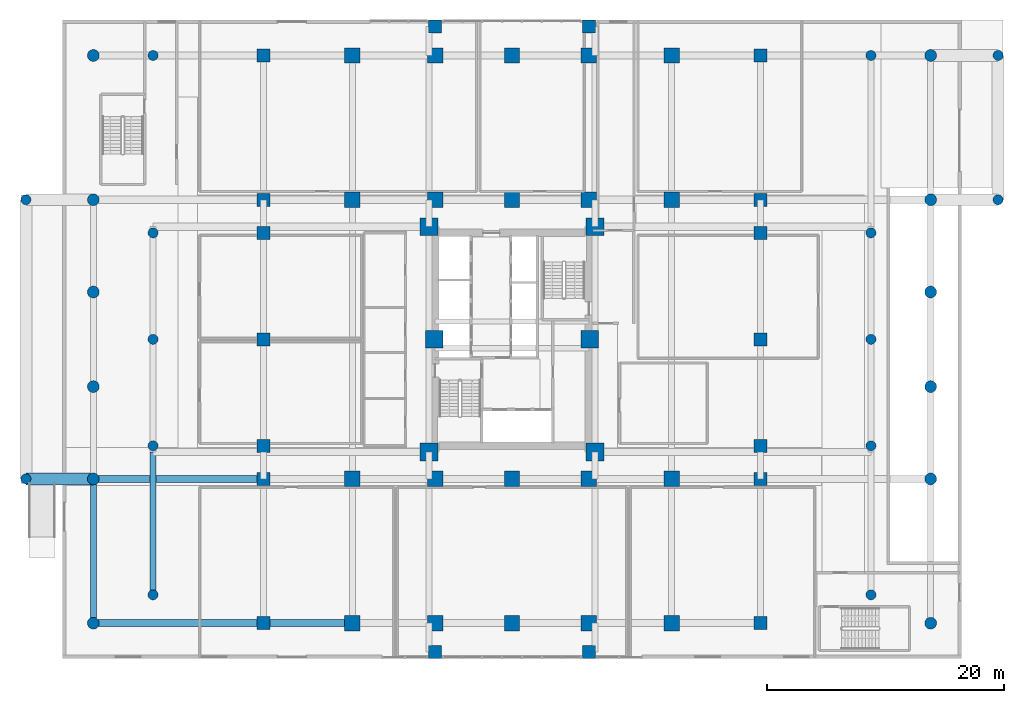
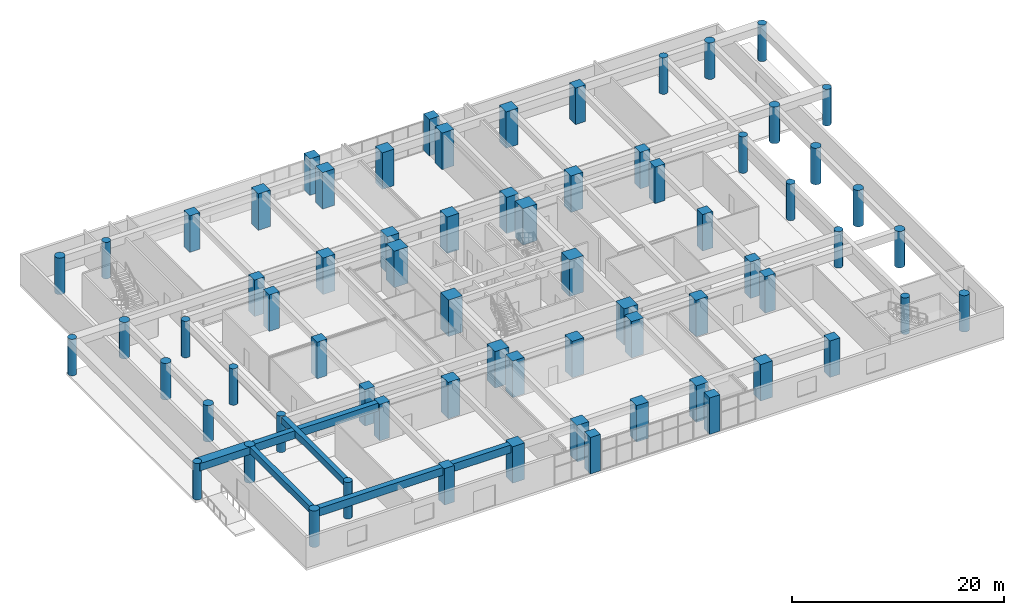
# One storey, part 1 of 24: 70 columns, 6 beams.
"""IFC4 building model written with IfcOpenShell, lengths in metres."""

from ifc_helpers import new_model, si_unit, direction, frame, origin, origin_2d, place, context, subcontext, project, spatial, rectangle, circle, extrude, source, transform, mapped, material, material_profile, profile_set, type_object, element, save


model = new_model("IFC4")

# Units and contexts
model_context = context("Model", 3, precision=1e-05, world=origin(), true_north=direction((0.0, 1.0)))
body_context = subcontext(model_context, "Body", "Model", "MODEL_VIEW")
ifc_project = project(units=[si_unit("LENGTHUNIT", "METRE"), si_unit("AREAUNIT", "SQUARE_METRE"), si_unit("VOLUMEUNIT", "CUBIC_METRE"), si_unit("PLANEANGLEUNIT", "RADIAN"), si_unit("MASSUNIT", "GRAM", prefix="KILO")], contexts=[model_context])

# Site, building, storey
site_placement = place(None, origin())
site = spatial("IfcSite", under=ifc_project, at=site_placement, CompositionType="ELEMENT")
building_placement = place(site_placement, origin())
building = spatial("IfcBuilding", under=site, at=building_placement, Name="Saelheon Loggia Tower", CompositionType="ELEMENT")
storey_placement = place(building_placement, origin())
storey = spatial("IfcBuildingStorey", under=building, at=storey_placement, Name="L00", CompositionType="ELEMENT", Elevation=0.0)

# Columns
ifc_material_1 = material(Name="Concrete C60/75", Category="concrete")
ifc_material_profile_1 = material_profile(ifc_material_1, rectangle(XDim=1.5, YDim=1.5, at=origin_2d()), Name="RC-1500x1500")
ifc_profile_set_1 = profile_set([ifc_material_profile_1], Name="Concrete C60/75")
column_type_1 = type_object("IfcColumnType", Name="Col_Core_RC1500", PredefinedType="COLUMN", material=ifc_profile_set_1)
shared_shape_1 = source(origin(), body_context, "Body", "SweptSolid", [
    extrude(rectangle(XDim=1.5, YDim=1.5, at=origin_2d()), origin(), (0.0, 0.0, 1.0), 4.199951171875),
])
for number, where, z_axis, x_axis, name in (
    (1, (30.97998046875, 17.47998046875, 0.0), (0.0, 0.0, 1.0), (1.0, 0.0, 0.0), "L00 Core Column CR-SW"),
    (2, (45.02001953125, 17.47998046875, 0.0), (0.0, 0.0, 1.0), (1.0, 0.0, 0.0), "L00 Core Column CR-SE"),
    (3, (30.97998046875, 36.52001953125, 0.0), (0.0, 0.0, 1.0), (1.0, 0.0, 0.0), "L00 Core Column CR-NW"),
    (4, (45.02001953125, 36.52001953125, 0.0), (0.0, 0.0, 1.0), (1.0, 0.0, 0.0), "L00 Core Column CR-NE"),
    (5, (31.419921875, 27.0, 0.0), (0.0, 0.0, 1.0), (1.0, 0.0, 0.0), "L00 Core Column CR-MW"),
    (6, (44.580078125, 27.0, 0.0), (0.0, 0.0, 1.0), (1.0, 0.0, 0.0), "L00 Core Column CR-ME"),
):
    element("IfcColumn", number, at=place(storey_placement, frame(where, z_axis=z_axis, x_axis=x_axis)), inside=storey, type_object=column_type_1, Name=name, PredefinedType="COLUMN", context=body_context, shape_type="MappedRepresentation", body=[
        mapped(shared_shape_1, transform((0.0, 0.0, 0.0), scale=1.0)),
    ])
ifc_material_2 = material(Name="Concrete C50/60", Category="concrete")
ifc_material_profile_2 = material_profile(ifc_material_2, circle(Radius=0.5, at=origin_2d()), Name="CIRC-1000")
ifc_profile_set_2 = profile_set([ifc_material_profile_2], Name="Concrete C50/60")
column_type_2 = type_object("IfcColumnType", Name="Col_Podium_CIRC1000", PredefinedType="COLUMN", material=ifc_profile_set_2)
shared_shape_2 = source(origin(), body_context, "Body", "SweptSolid", [
    extrude(circle(Radius=0.5, at=origin_2d()), origin(), (0.0, 0.0, 1.0), 4.199951171875),
])
for number, where, z_axis, x_axis, name in (
    (7, (2.60009765625, 3.0, 0.0), (0.0, 0.0, 1.0), (1.0, 0.0, 0.0), "L00 Podium Column PW1"),
    (8, (73.39990234375, 3.0, 0.0), (0.0, 0.0, 1.0), (1.0, 0.0, 0.0), "L00 Podium Column PE1"),
    (9, (2.60009765625, 15.199951171875, 0.0), (0.0, 0.0, 1.0), (1.0, 0.0, 0.0), "L00 Podium Column PW2"),
    (10, (73.39990234375, 15.199951171875, 0.0), (0.0, 0.0, 1.0), (1.0, 0.0, 0.0), "L00 Podium Column PE2"),
    (11, (2.60009765625, 23.0, 0.0), (0.0, 0.0, 1.0), (1.0, 0.0, 0.0), "L00 Podium Column PW3"),
    (12, (73.39990234375, 23.0, 0.0), (0.0, 0.0, 1.0), (1.0, 0.0, 0.0), "L00 Podium Column PE3"),
    (13, (2.60009765625, 31.0, 0.0), (0.0, 0.0, 1.0), (1.0, 0.0, 0.0), "L00 Podium Column PW4"),
    (14, (73.39990234375, 31.0, 0.0), (0.0, 0.0, 1.0), (1.0, 0.0, 0.0), "L00 Podium Column PE4"),
    (15, (2.60009765625, 38.800048828125, 0.0), (0.0, 0.0, 1.0), (1.0, 0.0, 0.0), "L00 Podium Column PW5"),
    (16, (73.39990234375, 38.800048828125, 0.0), (0.0, 0.0, 1.0), (1.0, 0.0, 0.0), "L00 Podium Column PE5"),
    (17, (2.60009765625, 51.0, 0.0), (0.0, 0.0, 1.0), (1.0, 0.0, 0.0), "L00 Podium Column PW6"),
    (18, (73.39990234375, 51.0, 0.0), (0.0, 0.0, 1.0), (1.0, 0.0, 0.0), "L00 Podium Column PE6"),
):
    element("IfcColumn", number, at=place(storey_placement, frame(where, z_axis=z_axis, x_axis=x_axis)), inside=storey, type_object=column_type_2, Name=name, PredefinedType="COLUMN", context=body_context, shape_type="MappedRepresentation", body=[
        mapped(shared_shape_2, transform((0.0, 0.0, 0.0), scale=1.0)),
    ])
ifc_material_3 = material(Name="Concrete C45/55", Category="concrete")
ifc_material_profile_3 = material_profile(ifc_material_3, circle(Radius=0.425048828125, at=origin_2d()), Name="CIRC-850")
ifc_profile_set_3 = profile_set([ifc_material_profile_3], Name="Concrete C45/55")
column_type_3 = type_object("IfcColumnType", Name="Col_Podium_CIRC850", PredefinedType="COLUMN", material=ifc_profile_set_3)
shared_shape_3 = source(origin(), body_context, "Body", "SweptSolid", [
    extrude(circle(Radius=0.425048828125, at=origin_2d()), origin(), (0.0, 0.0, 1.0), 4.199951171875),
])
for number, where, z_axis, x_axis, name in (
    (19, (7.64990234375, 5.39990234375, 0.0), (0.0, 0.0, 1.0), (1.0, 0.0, 0.0), "L00 Podium Column PMW1"),
    (20, (68.35009765625, 5.39990234375, 0.0), (0.0, 0.0, 1.0), (1.0, 0.0, 0.0), "L00 Podium Column PME1"),
    (21, (7.64990234375, 18.0, 0.0), (0.0, 0.0, 1.0), (1.0, 0.0, 0.0), "L00 Podium Column PMW2"),
    (22, (68.35009765625, 18.0, 0.0), (0.0, 0.0, 1.0), (1.0, 0.0, 0.0), "L00 Podium Column PME2"),
    (23, (7.64990234375, 27.0, 0.0), (0.0, 0.0, 1.0), (1.0, 0.0, 0.0), "L00 Podium Column PMW3"),
    (24, (68.35009765625, 27.0, 0.0), (0.0, 0.0, 1.0), (1.0, 0.0, 0.0), "L00 Podium Column PME3"),
    (25, (7.64990234375, 36.0, 0.0), (0.0, 0.0, 1.0), (1.0, 0.0, 0.0), "L00 Podium Column PMW4"),
    (26, (68.35009765625, 36.0, 0.0), (0.0, 0.0, 1.0), (1.0, 0.0, 0.0), "L00 Podium Column PME4"),
    (27, (7.64990234375, 51.0, 0.0), (0.0, 0.0, 1.0), (1.0, 0.0, 0.0), "L00 Podium Column PMW5"),
    (28, (68.35009765625, 51.0, 0.0), (0.0, 0.0, 1.0), (1.0, 0.0, 0.0), "L00 Podium Column PME5"),
):
    element("IfcColumn", number, at=place(storey_placement, frame(where, z_axis=z_axis, x_axis=x_axis)), inside=storey, type_object=column_type_3, Name=name, PredefinedType="COLUMN", context=body_context, shape_type="MappedRepresentation", body=[
        mapped(shared_shape_3, transform((0.0, 0.0, 0.0), scale=1.0)),
    ])
ifc_material_4 = material(Name="Precast Concrete C45/55", Category="concrete")
ifc_material_profile_4 = material_profile(ifc_material_4, circle(Radius=0.425048828125, at=origin_2d()), Name="CIRC-850")
ifc_profile_set_4 = profile_set([ifc_material_profile_4], Name="Precast Concrete C45/55")
column_type_4 = type_object("IfcColumnType", Name="Col_Portico_CIRC850", PredefinedType="COLUMN", material=ifc_profile_set_4)
for number, where, z_axis, x_axis, name in (
    (29, (-3.10009765625, 15.199951171875, 0.0), (0.0, 0.0, 1.0), (1.0, 0.0, 0.0), "L00 Portico Canopy Column PRTW1"),
    (30, (-3.10009765625, 38.800048828125, 0.0), (0.0, 0.0, 1.0), (1.0, 0.0, 0.0), "L00 Portico Canopy Column PRTW2"),
    (31, (79.10009765625, 38.800048828125, 0.0), (0.0, 0.0, 1.0), (1.0, 0.0, 0.0), "L00 Portico Canopy Column PRTE1"),
    (32, (79.10009765625, 51.0, 0.0), (0.0, 0.0, 1.0), (1.0, 0.0, 0.0), "L00 Portico Canopy Column PRTE2"),
):
    element("IfcColumn", number, at=place(storey_placement, frame(where, z_axis=z_axis, x_axis=x_axis)), inside=storey, type_object=column_type_4, Name=name, PredefinedType="COLUMN", context=body_context, shape_type="MappedRepresentation", body=[
        mapped(shared_shape_3, transform((0.0, 0.0, 0.0), scale=1.0)),
    ])
ifc_material_profile_5 = material_profile(ifc_material_2, rectangle(XDim=1.10009765625, YDim=1.10009765625, at=origin_2d()), Name="RC-1100x1100")
ifc_profile_set_5 = profile_set([ifc_material_profile_5], Name="Concrete C50/60")
column_type_5 = type_object("IfcColumnType", Name="Col_Perim_RC1100", PredefinedType="COLUMN", material=ifc_profile_set_5)
shared_shape_4 = source(origin(), body_context, "Body", "SweptSolid", [
    extrude(rectangle(XDim=1.10009765625, YDim=1.10009765625, at=origin_2d()), origin(), (0.0, 0.0, 1.0), 4.199951171875),
])
for number, where, z_axis, x_axis, name in (
    (33, (17.0, 3.0, 0.0), (0.0, 0.0, 1.0), (1.0, 0.0, 0.0), "L00 Podium Column PIW1"),
    (34, (59.0, 3.0, 0.0), (0.0, 0.0, 1.0), (1.0, 0.0, 0.0), "L00 Podium Column PIE1"),
    (35, (17.0, 15.199951171875, 0.0), (0.0, 0.0, 1.0), (1.0, 0.0, 0.0), "L00 Podium Column PIW2"),
    (36, (59.0, 15.199951171875, 0.0), (0.0, 0.0, 1.0), (1.0, 0.0, 0.0), "L00 Podium Column PIE2"),
    (37, (17.0, 18.0, 0.0), (0.0, 0.0, 1.0), (1.0, 0.0, 0.0), "L00 Podium Column PIW3"),
    (38, (59.0, 18.0, 0.0), (0.0, 0.0, 1.0), (1.0, 0.0, 0.0), "L00 Podium Column PIE3"),
    (39, (17.0, 27.0, 0.0), (0.0, 0.0, 1.0), (1.0, 0.0, 0.0), "L00 Podium Column PIW4"),
    (40, (59.0, 27.0, 0.0), (0.0, 0.0, 1.0), (1.0, 0.0, 0.0), "L00 Podium Column PIE4"),
    (41, (17.0, 36.0, 0.0), (0.0, 0.0, 1.0), (1.0, 0.0, 0.0), "L00 Podium Column PIW5"),
    (42, (59.0, 36.0, 0.0), (0.0, 0.0, 1.0), (1.0, 0.0, 0.0), "L00 Podium Column PIE5"),
    (43, (17.0, 38.800048828125, 0.0), (0.0, 0.0, 1.0), (1.0, 0.0, 0.0), "L00 Podium Column PIW6"),
    (44, (59.0, 38.800048828125, 0.0), (0.0, 0.0, 1.0), (1.0, 0.0, 0.0), "L00 Podium Column PIE6"),
    (45, (17.0, 51.0, 0.0), (0.0, 0.0, 1.0), (1.0, 0.0, 0.0), "L00 Podium Column PIW7"),
    (46, (59.0, 51.0, 0.0), (0.0, 0.0, 1.0), (1.0, 0.0, 0.0), "L00 Podium Column PIE7"),
):
    element("IfcColumn", number, at=place(storey_placement, frame(where, z_axis=z_axis, x_axis=x_axis)), inside=storey, type_object=column_type_5, Name=name, PredefinedType="COLUMN", context=body_context, shape_type="MappedRepresentation", body=[
        mapped(shared_shape_4, transform((0.0, 0.0, 0.0), scale=1.0)),
    ])
ifc_material_profile_6 = material_profile(ifc_material_2, rectangle(XDim=1.10009765625, YDim=1.10009765625, at=origin_2d()), Name="RC-1100x1100")
ifc_profile_set_6 = profile_set([ifc_material_profile_6], Name="Concrete C50/60")
column_type_6 = type_object("IfcColumnType", Name="Col_PerimExt_RC1100", PredefinedType="COLUMN", material=ifc_profile_set_6)
for number, where, z_axis, x_axis, name in (
    (47, (31.5, 0.550048828125, 0.0), (0.0, 0.0, 1.0), (1.0, 0.0, 0.0), "L00 Podium Column C31Y006"),
    (48, (31.5, 53.449951171875, 0.0), (0.0, 0.0, 1.0), (1.0, 0.0, 0.0), "L00 Podium Column C31Y534"),
    (49, (44.5, 0.550048828125, 0.0), (0.0, 0.0, 1.0), (1.0, 0.0, 0.0), "L00 Podium Column C44Y006"),
    (50, (44.5, 53.449951171875, 0.0), (0.0, 0.0, 1.0), (1.0, 0.0, 0.0), "L00 Podium Column C44Y534"),
):
    element("IfcColumn", number, at=place(storey_placement, frame(where, z_axis=z_axis, x_axis=x_axis)), inside=storey, type_object=column_type_6, Name=name, PredefinedType="COLUMN", context=body_context, shape_type="MappedRepresentation", body=[
        mapped(shared_shape_4, transform((0.0, 0.0, 0.0), scale=1.0)),
    ])
ifc_material_profile_7 = material_profile(ifc_material_1, rectangle(XDim=1.300048828125, YDim=1.300048828125, at=origin_2d()), Name="RC-1300x1300")
ifc_profile_set_7 = profile_set([ifc_material_profile_7], Name="Concrete C60/75")
column_type_7 = type_object("IfcColumnType", Name="Col_Perim_RC1300", PredefinedType="COLUMN", material=ifc_profile_set_7)
shared_shape_5 = source(origin(), body_context, "Body", "SweptSolid", [
    extrude(rectangle(XDim=1.300048828125, YDim=1.300048828125, at=origin_2d()), origin(), (0.0, 0.0, 1.0), 4.199951171875),
])
for number, where, z_axis, x_axis, name in (
    (51, (24.5, 3.0, 0.0), (0.0, 0.0, 1.0), (1.0, 0.0, 0.0), "L00 Podium Column C24Y030"),
    (52, (24.5, 15.199951171875, 0.0), (0.0, 0.0, 1.0), (1.0, 0.0, 0.0), "L00 Podium Column C24Y152"),
    (53, (24.5, 38.800048828125, 0.0), (0.0, 0.0, 1.0), (1.0, 0.0, 0.0), "L00 Podium Column C24Y388"),
    (54, (24.5, 51.0, 0.0), (0.0, 0.0, 1.0), (1.0, 0.0, 0.0), "L00 Podium Column C24Y510"),
    (55, (31.5, 3.0, 0.0), (0.0, 0.0, 1.0), (1.0, 0.0, 0.0), "L00 Podium Column C31Y030"),
    (56, (31.5, 15.199951171875, 0.0), (0.0, 0.0, 1.0), (1.0, 0.0, 0.0), "L00 Podium Column C31Y152"),
    (57, (31.5, 38.800048828125, 0.0), (0.0, 0.0, 1.0), (1.0, 0.0, 0.0), "L00 Podium Column C31Y388"),
    (58, (31.5, 51.0, 0.0), (0.0, 0.0, 1.0), (1.0, 0.0, 0.0), "L00 Podium Column C31Y510"),
    (59, (38.0, 3.0, 0.0), (0.0, 0.0, 1.0), (1.0, 0.0, 0.0), "L00 Podium Column C38Y030"),
    (60, (38.0, 15.199951171875, 0.0), (0.0, 0.0, 1.0), (1.0, 0.0, 0.0), "L00 Podium Column C38Y152"),
    (61, (38.0, 38.800048828125, 0.0), (0.0, 0.0, 1.0), (1.0, 0.0, 0.0), "L00 Podium Column C38Y388"),
    (62, (38.0, 51.0, 0.0), (0.0, 0.0, 1.0), (1.0, 0.0, 0.0), "L00 Podium Column C38Y510"),
    (63, (44.5, 3.0, 0.0), (0.0, 0.0, 1.0), (1.0, 0.0, 0.0), "L00 Podium Column C44Y030"),
    (64, (44.5, 15.199951171875, 0.0), (0.0, 0.0, 1.0), (1.0, 0.0, 0.0), "L00 Podium Column C44Y152"),
    (65, (44.5, 38.800048828125, 0.0), (0.0, 0.0, 1.0), (1.0, 0.0, 0.0), "L00 Podium Column C44Y388"),
    (66, (44.5, 51.0, 0.0), (0.0, 0.0, 1.0), (1.0, 0.0, 0.0), "L00 Podium Column C44Y510"),
    (67, (51.5, 3.0, 0.0), (0.0, 0.0, 1.0), (1.0, 0.0, 0.0), "L00 Podium Column C51Y030"),
    (68, (51.5, 15.199951171875, 0.0), (0.0, 0.0, 1.0), (1.0, 0.0, 0.0), "L00 Podium Column C51Y152"),
    (69, (51.5, 38.800048828125, 0.0), (0.0, 0.0, 1.0), (1.0, 0.0, 0.0), "L00 Podium Column C51Y388"),
    (70, (51.5, 51.0, 0.0), (0.0, 0.0, 1.0), (1.0, 0.0, 0.0), "L00 Podium Column C51Y510"),
):
    element("IfcColumn", number, at=place(storey_placement, frame(where, z_axis=z_axis, x_axis=x_axis)), inside=storey, type_object=column_type_7, Name=name, PredefinedType="COLUMN", context=body_context, shape_type="MappedRepresentation", body=[
        mapped(shared_shape_5, transform((0.0, 0.0, 0.0), scale=1.0)),
    ])

# Beams
ifc_material_profile_8 = material_profile(ifc_material_2, rectangle(XDim=0.60009765625, YDim=0.89990234375, at=origin_2d()), Name="RC-600x900")
ifc_profile_set_8 = profile_set([ifc_material_profile_8], Name="Concrete C50/60")
beam_type_1 = type_object("IfcBeamType", Name="Beam_MainGirder_RC600x900", PredefinedType="BEAM", material=ifc_profile_set_8)
shared_shape_6 = source(origin(), body_context, "Body", "SweptSolid", [
    extrude(rectangle(XDim=0.60009765625, YDim=0.89990234375, at=origin_2d()), origin(), (0.0, 0.0, 1.0), 14.39990234375),
])
for number, where, z_axis, x_axis, name in (
    (71, (2.60009765625, 3.0, 3.75), (1.0, 0.0, 0.0), (0.0, 1.0, 0.0), "BM-L00-EW-3-1"),
    (72, (2.60009765625, 15.199951171875, 3.75), (1.0, 0.0, 0.0), (0.0, 1.0, 0.0), "BM-L00-EW-15-1"),
):
    element("IfcBeam", number, at=place(storey_placement, frame(where, z_axis=z_axis, x_axis=x_axis)), inside=storey, type_object=beam_type_1, Name=name, PredefinedType="BEAM", context=body_context, shape_type="MappedRepresentation", body=[
        mapped(shared_shape_6, transform((0.0, 0.0, 0.0), scale=1.0)),
    ])
shared_shape_7 = source(origin(), body_context, "Body", "SweptSolid", [
    extrude(rectangle(XDim=0.60009765625, YDim=0.89990234375, at=origin_2d()), origin(), (0.0, 0.0, 1.0), 7.5),
])
beam_1_placement = place(storey_placement, frame((17.0, 3.0, 3.75), z_axis=(1.0, 0.0, 0.0), x_axis=(0.0, 1.0, 0.0)))
element("IfcBeam", 73, at=beam_1_placement, inside=storey, type_object=beam_type_1, Name="BM-L00-EW-3-2", PredefinedType="BEAM", context=body_context, shape_type="MappedRepresentation", body=[
    mapped(shared_shape_7, transform((0.0, 0.0, 0.0), scale=1.0)),
])
ifc_material_profile_9 = material_profile(ifc_material_3, rectangle(XDim=0.5, YDim=0.75, at=origin_2d()), Name="RC-500x750")
ifc_profile_set_9 = profile_set([ifc_material_profile_9], Name="Concrete C45/55")
beam_type_2 = type_object("IfcBeamType", Name="Beam_PerimGirder_RC500x750", PredefinedType="BEAM", material=ifc_profile_set_9)
shared_shape_8 = source(origin(), body_context, "Body", "SweptSolid", [
    extrude(rectangle(XDim=0.5, YDim=0.75, at=origin_2d()), origin(), (0.0, 0.0, 1.0), 12.199951171875),
])
beam_2_placement = place(storey_placement, frame((2.60009765625, 3.0, 3.824951171875), z_axis=(0.0, 1.0, 0.0), x_axis=(-1.0, 0.0, 0.0)))
element("IfcBeam", 74, at=beam_2_placement, inside=storey, type_object=beam_type_2, Name="BM-L00-NS-2-1", PredefinedType="BEAM", context=body_context, shape_type="MappedRepresentation", body=[
    mapped(shared_shape_8, transform((0.0, 0.0, 0.0), scale=1.0)),
])
ifc_material_profile_10 = material_profile(ifc_material_3, rectangle(XDim=0.5, YDim=0.75, at=origin_2d()), Name="RC-500x750")
ifc_profile_set_10 = profile_set([ifc_material_profile_10], Name="Concrete C45/55")
beam_type_3 = type_object("IfcBeamType", Name="Beam_FloorGirder_RC500x750", PredefinedType="BEAM", material=ifc_profile_set_10)
shared_shape_9 = source(origin(), body_context, "Body", "SweptSolid", [
    extrude(rectangle(XDim=0.5, YDim=0.75, at=origin_2d()), origin(), (0.0, 0.0, 1.0), 12.080078125),
])
beam_3_placement = place(storey_placement, frame((7.64990234375, 5.39990234375, 3.824951171875), z_axis=(0.0, 1.0, 0.0), x_axis=(-1.0, 0.0, 0.0)))
element("IfcBeam", 75, at=beam_3_placement, inside=storey, type_object=beam_type_3, Name="BM-L00-NS-7-1", PredefinedType="BEAM", context=body_context, shape_type="MappedRepresentation", body=[
    mapped(shared_shape_9, transform((0.0, 0.0, 0.0), scale=1.0)),
])
ifc_material_profile_11 = material_profile(ifc_material_4, rectangle(XDim=1.0, YDim=0.85009765625, at=origin_2d()), Name="RC-1000x850")
ifc_profile_set_11 = profile_set([ifc_material_profile_11], Name="Precast Concrete C45/55")
beam_type_4 = type_object("IfcBeamType", Name="Beam_PorticoGirder_RC1000x850", PredefinedType="BEAM", material=ifc_profile_set_11)
shared_shape_10 = source(origin(), body_context, "Body", "SweptSolid", [
    extrude(rectangle(XDim=1.0, YDim=0.85009765625, at=origin_2d()), origin(), (0.0, 0.0, 1.0), 5.7001953125),
])
beam_4_placement = place(storey_placement, frame((-3.10009765625, 15.199951171875, 3.77490234375), z_axis=(1.0, 0.0, 0.0), x_axis=(0.0, 1.0, 0.0)))
element("IfcBeam", 76, at=beam_4_placement, inside=storey, type_object=beam_type_4, Name="BM-L00-PRTW-S", PredefinedType="BEAM", context=body_context, shape_type="MappedRepresentation", body=[
    mapped(shared_shape_10, transform((0.0, 0.0, 0.0), scale=1.0)),
])

save(model, "model.ifc")
